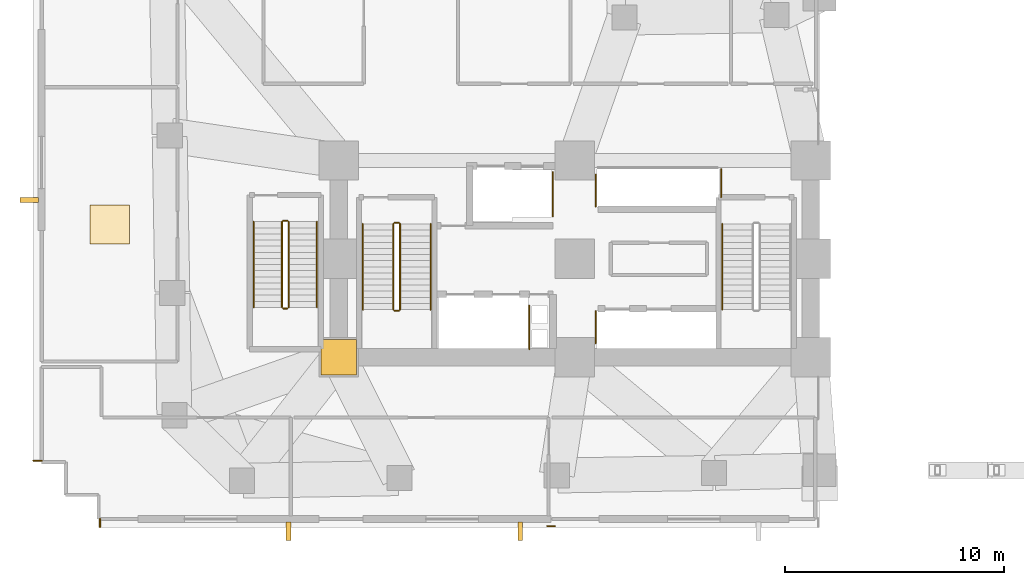
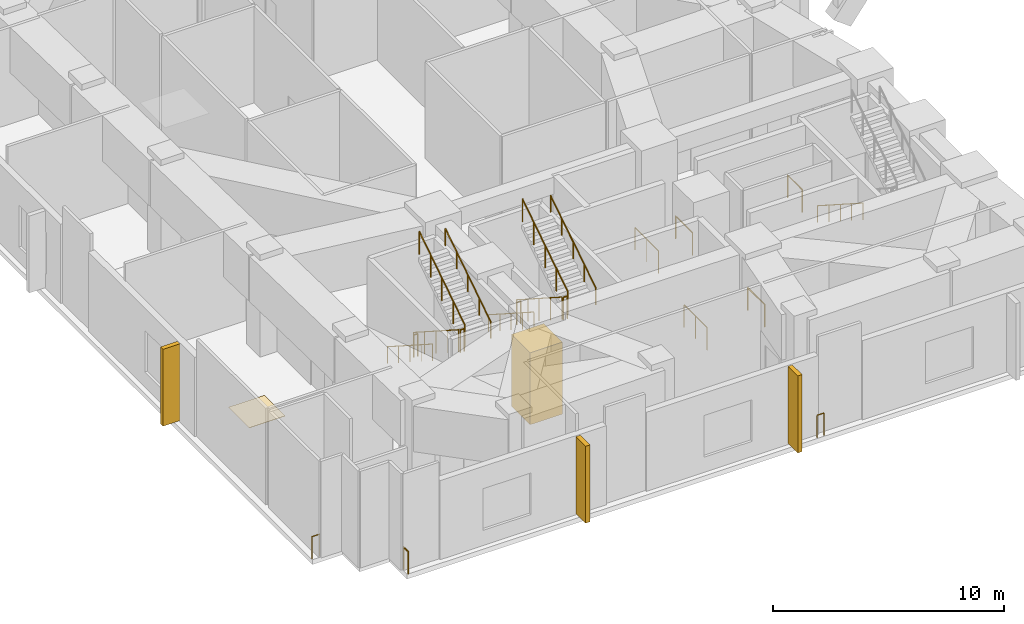
# One storey, part 11 of 15: 21 railings, 3 shading devices, 2 coverings.
"""IFC4 building model written with IfcOpenShell, lengths in metres."""

from ifc_helpers import new_model, si_unit, direction, frame, origin, origin_2d, place, context, subcontext, project, spatial, rectangle, circle, extrude, material, layer, layer_set, type_object, element, save


model = new_model("IFC4")

# Units and contexts
model_context = context("Model", 3, precision=1e-05, world=origin(), true_north=direction((0.0, 1.0)))
body_context = subcontext(model_context, "Body", "Model", "MODEL_VIEW")
ifc_project = project(units=[si_unit("LENGTHUNIT", "METRE"), si_unit("AREAUNIT", "SQUARE_METRE"), si_unit("VOLUMEUNIT", "CUBIC_METRE"), si_unit("PLANEANGLEUNIT", "RADIAN"), si_unit("MASSUNIT", "GRAM", prefix="KILO")], contexts=[model_context])

# Site, building, storey
site_placement = place(None, origin())
site = spatial("IfcSite", under=ifc_project, at=site_placement, CompositionType="ELEMENT")
building_placement = place(site_placement, origin())
building = spatial("IfcBuilding", under=site, at=building_placement, Name="Gaonmaruhae Medical Tower", CompositionType="ELEMENT")
storey_placement = place(building_placement, frame((0.0, 0.0, 21.60009765625)))
storey = spatial("IfcBuildingStorey", under=building, at=storey_placement, Name="L04", CompositionType="ELEMENT", Elevation=21.60009765625)

# Coverings
ifc_material_1 = material(Name="Architectural precast column cladding", Category="concrete")
ifc_layer_1 = layer(ifc_material_1, 0.06005859375)
ifc_layer_set_1 = layer_set([ifc_layer_1], Name="Architectural precast column cladding")
covering_type_1 = type_object("IfcCoveringType", Name="CLD-01 Architectural Precast Pier Cladding", PredefinedType="CLADDING", material=ifc_layer_set_1)
covering_1_placement = place(storey_placement, frame((14.0, 7.800048828125, 0.10009765625), z_axis=(0.0, 0.0, 1.0), x_axis=(1.0, 0.0, 0.0)))
element("IfcCovering", 1, at=covering_1_placement, inside=storey, type_object=covering_type_1, Name="L04 Architectural Precast Column Cladding 5", PredefinedType="CLADDING", context=body_context, shape_type="SweptSolid", body=[
    extrude(rectangle(XDim=1.6201171875, YDim=1.6201171875, at=origin_2d()), origin(), (0.0, 0.0, 1.0), 3.800048828125),
])
ifc_material_2 = material(Name="Seamless clinical vinyl flooring", Category="finish")
ifc_layer_2 = layer(ifc_material_2, 0.014892578125)
ifc_layer_set_2 = layer_set([ifc_layer_2], Name="Seamless clinical vinyl flooring")
covering_type_2 = type_object("IfcCoveringType", Name="FLR-01 Seamless Clinical Antistatic Vinyl Flooring", PredefinedType="FLOORING", material=ifc_layer_set_2)
covering_2_placement = place(storey_placement, frame((3.510009765625, 13.875, 0.0), z_axis=(0.0, 0.0, 1.0), x_axis=(1.0, 0.0, 0.0)))
element("IfcCovering", 2, at=covering_2_placement, inside=storey, type_object=covering_type_2, Name="L04 Clinical Room Vinyl Flooring 2", PredefinedType="FLOORING", context=body_context, shape_type="SweptSolid", body=[
    extrude(rectangle(XDim=1.800048828125, YDim=1.800048828125, at=origin_2d()), origin(), (0.0, 0.0, 1.0), 0.014892578125),
])

# Railings
ifc_material_3 = material(Name="Stainless steel 316L and laminated safety glass", Category="steel")
ifc_layer_3 = layer(ifc_material_3, 0.080078125)
ifc_layer_set_3 = layer_set([ifc_layer_3], Name="Stainless steel 316L and laminated safety glass")
railing_type_1 = type_object("IfcRailingType", Name="GD-120 Outdoor Terrace Safety Glass & Steel Balustrade", PredefinedType="BALUSTRADE", material=ifc_layer_set_3)
railing_1_placement = place(storey_placement, frame((3.070068359375, 0.02001953125, 0.0)))
element("IfcRailing", 3, at=railing_1_placement, inside=storey, type_object=railing_type_1, Name="L04 Perimeter Slab Edge Safety Balustrade 01", PredefinedType="BALUSTRADE", context=body_context, shape_type="SweptSolid", body=[
    extrude(circle(Radius=0.02392578125, at=origin_2d()), frame((0.0, 0.0, 1.17578125), z_axis=(0.0, 1.0, 0.0), x_axis=(-1.0, 0.0, 0.0)), (0.0, 0.0, 1.0), 0.393310546875),
    extrude(circle(Radius=0.02099609375, at=origin_2d()), origin(), (0.0, 0.0, 1.0), 1.15185546875),
    extrude(circle(Radius=0.02099609375, at=origin_2d()), frame((0.0, 0.393310546875, 0.0)), (0.0, 0.0, 1.0), 1.15185546875),
])
railing_2_placement = place(storey_placement, frame((0.413330078125, 3.070068359375, 0.0)))
element("IfcRailing", 4, at=railing_2_placement, inside=storey, type_object=railing_type_1, Name="L04 Perimeter Slab Edge Safety Balustrade 02", PredefinedType="BALUSTRADE", context=body_context, shape_type="SweptSolid", body=[
    extrude(circle(Radius=0.02392578125, at=origin_2d()), frame((0.0, 0.0, 1.17578125), z_axis=(-1.0, 0.0, 0.0), x_axis=(0.0, -1.0, 0.0)), (0.0, 0.0, 1.0), 0.393310546875),
    extrude(circle(Radius=0.02099609375, at=origin_2d()), origin(), (0.0, 0.0, 1.0), 1.15185546875),
    extrude(circle(Radius=0.02099609375, at=origin_2d()), frame((-0.393310546875, 0.0, 0.0)), (0.0, 0.0, 1.0), 1.15185546875),
])
railing_3_placement = place(storey_placement, frame((23.88427734375, 0.070068359375, 0.0)))
element("IfcRailing", 5, at=railing_3_placement, inside=storey, type_object=railing_type_1, Name="L04 Perimeter Slab Edge Safety Balustrade 16", PredefinedType="BALUSTRADE", context=body_context, shape_type="SweptSolid", body=[
    extrude(circle(Radius=0.02392578125, at=origin_2d()), frame((0.0, 0.0, 1.17578125), z_axis=(-1.0, 0.0, 0.0), x_axis=(0.0, -1.0, 0.0)), (0.0, 0.0, 1.0), 0.33935546875),
    extrude(circle(Radius=0.02099609375, at=origin_2d()), origin(), (0.0, 0.0, 1.0), 1.15185546875),
    extrude(circle(Radius=0.02099609375, at=origin_2d()), frame((-0.33935546875, 0.0, 0.0)), (0.0, 0.0, 1.0), 1.15185546875),
])
ifc_material_4 = material(Name="Stainless steel 304 handrail", Category="steel")
railing_type_2 = type_object("IfcRailingType", Name="HR-092 Continuous Stainless Steel Stair Handrail", PredefinedType="HANDRAIL", material=ifc_material_4)
railing_4_placement = place(storey_placement, frame((15.10009765625, 13.89990234375, 0.179931640625)))
element("IfcRailing", 6, at=railing_4_placement, inside=storey, type_object=railing_type_2, Name="L04 ST-01 stair handrail 1", PredefinedType="HANDRAIL", context=body_context, shape_type="SweptSolid", body=[
    extrude(circle(Radius=0.02392578125, at=origin_2d()), frame((0.0, 0.0, 0.8759765625), z_axis=(0.0, -0.841171666519, 0.540768182723), x_axis=(1.0, 0.0, 0.0)), (0.0, 0.0, 1.0), 4.66015625),
    extrude(circle(Radius=0.02099609375, at=origin_2d()), origin(), (0.0, 0.0, 1.0), 0.851806640625),
    extrude(circle(Radius=0.02099609375, at=origin_2d()), frame((0.0, -0.97998046875, 0.6298828125)), (0.0, 0.0, 1.0), 0.851806640625),
    extrude(circle(Radius=0.02099609375, at=origin_2d()), frame((0.0, -1.9599609375, 1.260009765625)), (0.0, 0.0, 1.0), 0.851806640625),
    extrude(circle(Radius=0.02099609375, at=origin_2d()), frame((0.0, -2.93994140625, 1.89013671875)), (0.0, 0.0, 1.0), 0.851806640625),
    extrude(circle(Radius=0.02099609375, at=origin_2d()), frame((0.0, -3.919921875, 2.52001953125)), (0.0, 0.0, 1.0), 0.851806640625),
])
railing_5_placement = place(storey_placement, frame((18.199951171875, 9.97998046875, 2.8798828125)))
element("IfcRailing", 7, at=railing_5_placement, inside=storey, type_object=railing_type_2, Name="L04 ST-01 stair handrail 2", PredefinedType="HANDRAIL", context=body_context, shape_type="SweptSolid", body=[
    extrude(circle(Radius=0.02392578125, at=origin_2d()), frame((0.0, 0.0, 0.8759765625), z_axis=(0.0, 0.841171666519, 0.540768182723), x_axis=(-1.0, 0.0, 0.0)), (0.0, 0.0, 1.0), 4.66015625),
    extrude(circle(Radius=0.02099609375, at=origin_2d()), origin(), (0.0, 0.0, 1.0), 0.851806640625),
    extrude(circle(Radius=0.02099609375, at=origin_2d()), frame((0.0, 0.97998046875, 0.6298828125)), (0.0, 0.0, 1.0), 0.851806640625),
    extrude(circle(Radius=0.02099609375, at=origin_2d()), frame((0.0, 1.9599609375, 1.260009765625)), (0.0, 0.0, 1.0), 0.851806640625),
    extrude(circle(Radius=0.02099609375, at=origin_2d()), frame((0.0, 2.93994140625, 1.89013671875)), (0.0, 0.0, 1.0), 0.851806640625),
    extrude(circle(Radius=0.02099609375, at=origin_2d()), frame((0.0, 3.919921875, 2.52001953125)), (0.0, 0.0, 1.0), 0.851806640625),
])
for number, where, name in (
    (8, (31.550048828125, 13.89990234375, 0.179931640625), "L04 ST-02 stair handrail 1"),
    (9, (10.10009765625, 14.0, 0.179931640625), "L04 ST-03 stair handrail 1"),
):
    element("IfcRailing", number, at=place(storey_placement, frame(where)), inside=storey, type_object=railing_type_2, Name=name, PredefinedType="HANDRAIL", context=body_context, shape_type="SweptSolid", body=[
        extrude(circle(Radius=0.02392578125, at=origin_2d()), frame((0.0, 0.0, 0.8759765625), z_axis=(0.0, -0.841171666519, 0.540768182723), x_axis=(1.0, 0.0, 0.0)), (0.0, 0.0, 1.0), 4.66015625),
        extrude(circle(Radius=0.02099609375, at=origin_2d()), origin(), (0.0, 0.0, 1.0), 0.851806640625),
        extrude(circle(Radius=0.02099609375, at=origin_2d()), frame((0.0, -0.97998046875, 0.6298828125)), (0.0, 0.0, 1.0), 0.851806640625),
        extrude(circle(Radius=0.02099609375, at=origin_2d()), frame((0.0, -1.9599609375, 1.260009765625)), (0.0, 0.0, 1.0), 0.851806640625),
        extrude(circle(Radius=0.02099609375, at=origin_2d()), frame((0.0, -2.93994140625, 1.89013671875)), (0.0, 0.0, 1.0), 0.851806640625),
        extrude(circle(Radius=0.02099609375, at=origin_2d()), frame((0.0, -3.919921875, 2.52001953125)), (0.0, 0.0, 1.0), 0.851806640625),
    ])
railing_6_placement = place(storey_placement, frame((13.0, 10.080078125, 2.8798828125)))
element("IfcRailing", 10, at=railing_6_placement, inside=storey, type_object=railing_type_2, Name="L04 ST-03 stair handrail 2", PredefinedType="HANDRAIL", context=body_context, shape_type="SweptSolid", body=[
    extrude(circle(Radius=0.02392578125, at=origin_2d()), frame((0.0, 0.0, 0.8759765625), z_axis=(0.0, 0.841171666519, 0.540768182723), x_axis=(-1.0, 0.0, 0.0)), (0.0, 0.0, 1.0), 4.66015625),
    extrude(circle(Radius=0.02099609375, at=origin_2d()), origin(), (0.0, 0.0, 1.0), 0.851806640625),
    extrude(circle(Radius=0.02099609375, at=origin_2d()), frame((0.0, 0.97998046875, 0.6298828125)), (0.0, 0.0, 1.0), 0.851806640625),
    extrude(circle(Radius=0.02099609375, at=origin_2d()), frame((0.0, 1.9599609375, 1.260009765625)), (0.0, 0.0, 1.0), 0.851806640625),
    extrude(circle(Radius=0.02099609375, at=origin_2d()), frame((0.0, 2.93994140625, 1.89013671875)), (0.0, 0.0, 1.0), 0.851806640625),
    extrude(circle(Radius=0.02099609375, at=origin_2d()), frame((0.0, 3.919921875, 2.52001953125)), (0.0, 0.0, 1.0), 0.851806640625),
])

# Shading devices
ifc_material_5 = material(Name="Pigmented coral precast concrete C45/55", Category="concrete")
shading_device_type = type_object("IfcShadingDeviceType", Name="SD-FIN2 Podium Vertical Coral Precast Shading Fin", PredefinedType="USERDEFINED", material=ifc_material_5)
for number, where, z_axis, x_axis, name in (
    (11, (11.699951171875, -0.1650390625, 0.059814453125), (0.0, 0.0, 1.0), (-1.0, 0.0, 0.0), "L04 Podium Coral Precast Shading Fin PB-S1"),
    (12, (22.300048828125, -0.1650390625, 0.059814453125), (0.0, 0.0, 1.0), (-1.0, 0.0, 0.0), "L04 Podium Coral Precast Shading Fin PB-S2"),
    (13, (-0.1650390625, 15.0, 0.059814453125), (0.0, 0.0, 1.0), (0.0, 1.0, 0.0), "L04 Podium Coral Precast Shading Fin PB-W1"),
):
    element("IfcShadingDevice", number, at=place(storey_placement, frame(where, z_axis=z_axis, x_axis=x_axis)), inside=storey, type_object=shading_device_type, Name=name, ObjectType="FIN", PredefinedType="USERDEFINED", context=body_context, shape_type="SweptSolid", body=[
        extrude(rectangle(XDim=0.219970703125, YDim=0.85009765625, at=origin_2d()), origin(), (0.0, 0.0, 1.0), 4.06005859375),
    ])

# Railings
ifc_material_6 = material(Name="Stainless steel 304 balustrade", Category="steel")
railing_type_3 = type_object("IfcRailingType", Name="SG-112 Stair Well & Ramp Void Safety Balustrade", PredefinedType="BALUSTRADE", material=ifc_material_6)
railing_7_placement = place(storey_placement, frame((16.5, 13.89990234375, 0.179931640625)))
element("IfcRailing", 14, at=railing_7_placement, inside=storey, type_object=railing_type_3, Name="L04 ST-01 stair guard 1", PredefinedType="BALUSTRADE", context=body_context, shape_type="SweptSolid", body=[
    extrude(circle(Radius=0.02392578125, at=origin_2d()), frame((0.0, 0.0, 1.17578125), z_axis=(0.0, -0.841171666519, 0.540768182723), x_axis=(1.0, 0.0, 0.0)), (0.0, 0.0, 1.0), 4.66015625),
    extrude(circle(Radius=0.02099609375, at=origin_2d()), origin(), (0.0, 0.0, 1.0), 1.15185546875),
    extrude(circle(Radius=0.02099609375, at=origin_2d()), frame((0.0, -0.97998046875, 0.6298828125)), (0.0, 0.0, 1.0), 1.15185546875),
    extrude(circle(Radius=0.02099609375, at=origin_2d()), frame((0.0, -1.9599609375, 1.260009765625)), (0.0, 0.0, 1.0), 1.15185546875),
    extrude(circle(Radius=0.02099609375, at=origin_2d()), frame((0.0, -2.93994140625, 1.89013671875)), (0.0, 0.0, 1.0), 1.15185546875),
    extrude(circle(Radius=0.02099609375, at=origin_2d()), frame((0.0, -3.919921875, 2.52001953125)), (0.0, 0.0, 1.0), 1.15185546875),
])
railing_8_placement = place(storey_placement, frame((16.550048828125, 9.929931640625, 2.699951171875)))
element("IfcRailing", 15, at=railing_8_placement, inside=storey, type_object=railing_type_3, Name="L04 ST-01 stair guard 2", PredefinedType="BALUSTRADE", context=body_context, shape_type="SweptSolid", body=[
    extrude(circle(Radius=0.02392578125, at=origin_2d()), frame((0.0, 0.0, 1.17578125), z_axis=(1.0, 0.0, 0.0), x_axis=(0.0, 1.0, 0.0)), (0.0, 0.0, 1.0), 0.199951171875),
    extrude(circle(Radius=0.02099609375, at=origin_2d()), origin(), (0.0, 0.0, 1.0), 1.15185546875),
    extrude(circle(Radius=0.02099609375, at=origin_2d()), frame((0.199951171875, 0.0, 0.0)), (0.0, 0.0, 1.0), 1.15185546875),
])
railing_9_placement = place(storey_placement, frame((16.800048828125, 9.97998046875, 2.8798828125)))
element("IfcRailing", 16, at=railing_9_placement, inside=storey, type_object=railing_type_3, Name="L04 ST-01 stair guard 3", PredefinedType="BALUSTRADE", context=body_context, shape_type="SweptSolid", body=[
    extrude(circle(Radius=0.02392578125, at=origin_2d()), frame((0.0, 0.0, 1.17578125), z_axis=(0.0, 0.841171666519, 0.540768182723), x_axis=(-1.0, 0.0, 0.0)), (0.0, 0.0, 1.0), 4.66015625),
    extrude(circle(Radius=0.02099609375, at=origin_2d()), origin(), (0.0, 0.0, 1.0), 1.15185546875),
    extrude(circle(Radius=0.02099609375, at=origin_2d()), frame((0.0, 0.97998046875, 0.6298828125)), (0.0, 0.0, 1.0), 1.15185546875),
    extrude(circle(Radius=0.02099609375, at=origin_2d()), frame((0.0, 1.9599609375, 1.260009765625)), (0.0, 0.0, 1.0), 1.15185546875),
    extrude(circle(Radius=0.02099609375, at=origin_2d()), frame((0.0, 2.93994140625, 1.89013671875)), (0.0, 0.0, 1.0), 1.15185546875),
    extrude(circle(Radius=0.02099609375, at=origin_2d()), frame((0.0, 3.919921875, 2.52001953125)), (0.0, 0.0, 1.0), 1.15185546875),
])
railing_10_placement = place(storey_placement, frame((16.550048828125, 13.949951171875, 0.0)))
element("IfcRailing", 17, at=railing_10_placement, inside=storey, type_object=railing_type_3, Name="L04 ST-01 stair guard 4", PredefinedType="BALUSTRADE", context=body_context, shape_type="SweptSolid", body=[
    extrude(circle(Radius=0.02392578125, at=origin_2d()), frame((0.0, 0.0, 1.17578125), z_axis=(1.0, 0.0, 0.0), x_axis=(0.0, 1.0, 0.0)), (0.0, 0.0, 1.0), 0.199951171875),
    extrude(circle(Radius=0.02099609375, at=origin_2d()), origin(), (0.0, 0.0, 1.0), 1.15185546875),
    extrude(circle(Radius=0.02099609375, at=origin_2d()), frame((0.199951171875, 0.0, 0.0)), (0.0, 0.0, 1.0), 1.15185546875),
])
railing_11_placement = place(storey_placement, frame((11.39990234375, 14.0, 0.179931640625)))
element("IfcRailing", 18, at=railing_11_placement, inside=storey, type_object=railing_type_3, Name="L04 ST-03 stair guard 1", PredefinedType="BALUSTRADE", context=body_context, shape_type="SweptSolid", body=[
    extrude(circle(Radius=0.02392578125, at=origin_2d()), frame((0.0, 0.0, 1.17578125), z_axis=(0.0, -0.841171666519, 0.540768182723), x_axis=(1.0, 0.0, 0.0)), (0.0, 0.0, 1.0), 4.66015625),
    extrude(circle(Radius=0.02099609375, at=origin_2d()), origin(), (0.0, 0.0, 1.0), 1.15185546875),
    extrude(circle(Radius=0.02099609375, at=origin_2d()), frame((0.0, -0.97998046875, 0.6298828125)), (0.0, 0.0, 1.0), 1.15185546875),
    extrude(circle(Radius=0.02099609375, at=origin_2d()), frame((0.0, -1.9599609375, 1.260009765625)), (0.0, 0.0, 1.0), 1.15185546875),
    extrude(circle(Radius=0.02099609375, at=origin_2d()), frame((0.0, -2.93994140625, 1.89013671875)), (0.0, 0.0, 1.0), 1.15185546875),
    extrude(circle(Radius=0.02099609375, at=origin_2d()), frame((0.0, -3.919921875, 2.52001953125)), (0.0, 0.0, 1.0), 1.15185546875),
])
railing_12_placement = place(storey_placement, frame((11.449951171875, 10.030029296875, 2.699951171875)))
element("IfcRailing", 19, at=railing_12_placement, inside=storey, type_object=railing_type_3, Name="L04 ST-03 stair guard 2", PredefinedType="BALUSTRADE", context=body_context, shape_type="SweptSolid", body=[
    extrude(circle(Radius=0.02392578125, at=origin_2d()), frame((0.0, 0.0, 1.17578125), z_axis=(1.0, 0.0, 0.0), x_axis=(0.0, 1.0, 0.0)), (0.0, 0.0, 1.0), 0.199951171875),
    extrude(circle(Radius=0.02099609375, at=origin_2d()), origin(), (0.0, 0.0, 1.0), 1.15185546875),
    extrude(circle(Radius=0.02099609375, at=origin_2d()), frame((0.199951171875, 0.0, 0.0)), (0.0, 0.0, 1.0), 1.15185546875),
])
railing_13_placement = place(storey_placement, frame((11.699951171875, 10.080078125, 2.8798828125)))
element("IfcRailing", 20, at=railing_13_placement, inside=storey, type_object=railing_type_3, Name="L04 ST-03 stair guard 3", PredefinedType="BALUSTRADE", context=body_context, shape_type="SweptSolid", body=[
    extrude(circle(Radius=0.02392578125, at=origin_2d()), frame((0.0, 0.0, 1.17578125), z_axis=(0.0, 0.841171666519, 0.540768182723), x_axis=(-1.0, 0.0, 0.0)), (0.0, 0.0, 1.0), 4.66015625),
    extrude(circle(Radius=0.02099609375, at=origin_2d()), origin(), (0.0, 0.0, 1.0), 1.15185546875),
    extrude(circle(Radius=0.02099609375, at=origin_2d()), frame((0.0, 0.97998046875, 0.6298828125)), (0.0, 0.0, 1.0), 1.15185546875),
    extrude(circle(Radius=0.02099609375, at=origin_2d()), frame((0.0, 1.9599609375, 1.260009765625)), (0.0, 0.0, 1.0), 1.15185546875),
    extrude(circle(Radius=0.02099609375, at=origin_2d()), frame((0.0, 2.93994140625, 1.89013671875)), (0.0, 0.0, 1.0), 1.15185546875),
    extrude(circle(Radius=0.02099609375, at=origin_2d()), frame((0.0, 3.919921875, 2.52001953125)), (0.0, 0.0, 1.0), 1.15185546875),
])
railing_14_placement = place(storey_placement, frame((11.449951171875, 14.050048828125, 0.0)))
element("IfcRailing", 21, at=railing_14_placement, inside=storey, type_object=railing_type_3, Name="L04 ST-03 stair guard 4", PredefinedType="BALUSTRADE", context=body_context, shape_type="SweptSolid", body=[
    extrude(circle(Radius=0.02392578125, at=origin_2d()), frame((0.0, 0.0, 1.17578125), z_axis=(1.0, 0.0, 0.0), x_axis=(0.0, 1.0, 0.0)), (0.0, 0.0, 1.0), 0.199951171875),
    extrude(circle(Radius=0.02099609375, at=origin_2d()), origin(), (0.0, 0.0, 1.0), 1.15185546875),
    extrude(circle(Radius=0.02099609375, at=origin_2d()), frame((0.199951171875, 0.0, 0.0)), (0.0, 0.0, 1.0), 1.15185546875),
])
railing_15_placement = place(storey_placement, frame((22.719970703125, 10.159912109375, 0.0)))
element("IfcRailing", 22, at=railing_15_placement, inside=storey, type_object=railing_type_3, Name="L04 Shaft Edge Safety Guard 17", PredefinedType="BALUSTRADE", context=body_context, shape_type="SweptSolid", body=[
    extrude(circle(Radius=0.02392578125, at=origin_2d()), frame((0.0, 0.0, 1.17578125), z_axis=(0.0, -1.0, 0.0), x_axis=(1.0, 0.0, 0.0)), (0.0, 0.0, 1.0), 1.994873046875),
    extrude(circle(Radius=0.02099609375, at=origin_2d()), origin(), (0.0, 0.0, 1.0), 1.15185546875),
    extrude(circle(Radius=0.02099609375, at=origin_2d()), frame((0.0, -0.99755859375, 0.0)), (0.0, 0.0, 1.0), 1.15185546875),
    extrude(circle(Radius=0.02099609375, at=origin_2d()), frame((0.0, -1.994873046875, 0.0)), (0.0, 0.0, 1.0), 1.15185546875),
])
railing_16_placement = place(storey_placement, frame((23.794921875, 16.27587890625, 0.0)))
element("IfcRailing", 23, at=railing_16_placement, inside=storey, type_object=railing_type_3, Name="L04 Shaft Edge Safety Guard 18", PredefinedType="BALUSTRADE", context=body_context, shape_type="SweptSolid", body=[
    extrude(circle(Radius=0.02392578125, at=origin_2d()), frame((0.0, 0.0, 1.17578125), z_axis=(0.0, -1.0, 0.0), x_axis=(1.0, 0.0, 0.0)), (0.0, 0.0, 1.0), 2.03076171875),
    extrude(circle(Radius=0.02099609375, at=origin_2d()), origin(), (0.0, 0.0, 1.0), 1.15185546875),
    extrude(circle(Radius=0.02099609375, at=origin_2d()), frame((0.0, -1.015380859375, 0.0)), (0.0, 0.0, 1.0), 1.15185546875),
    extrude(circle(Radius=0.02099609375, at=origin_2d()), frame((0.0, -2.03076171875, 0.0)), (0.0, 0.0, 1.0), 1.15185546875),
])
railing_17_placement = place(storey_placement, frame((25.7548828125, 8.445068359375, 0.0)))
element("IfcRailing", 24, at=railing_17_placement, inside=storey, type_object=railing_type_3, Name="L04 Shaft Edge Safety Guard 20", PredefinedType="BALUSTRADE", context=body_context, shape_type="SweptSolid", body=[
    extrude(circle(Radius=0.02392578125, at=origin_2d()), frame((0.0, 0.0, 1.17578125), z_axis=(0.0, 1.0, 0.0), x_axis=(-1.0, 0.0, 0.0)), (0.0, 0.0, 1.0), 1.4599609375),
    extrude(circle(Radius=0.02099609375, at=origin_2d()), origin(), (0.0, 0.0, 1.0), 1.15185546875),
    extrude(circle(Radius=0.02099609375, at=origin_2d()), frame((0.0, 1.4599609375, 0.0)), (0.0, 0.0, 1.0), 1.15185546875),
])
railing_18_placement = place(storey_placement, frame((31.4951171875, 16.405029296875, 0.0)))
element("IfcRailing", 25, at=railing_18_placement, inside=storey, type_object=railing_type_3, Name="L04 Shaft Edge Safety Guard 21", PredefinedType="BALUSTRADE", context=body_context, shape_type="SweptSolid", body=[
    extrude(circle(Radius=0.02392578125, at=origin_2d()), frame((0.0, 0.0, 1.17578125), z_axis=(0.0, -1.0, 0.0), x_axis=(1.0, 0.0, 0.0)), (0.0, 0.0, 1.0), 1.284912109375),
    extrude(circle(Radius=0.02099609375, at=origin_2d()), origin(), (0.0, 0.0, 1.0), 1.15185546875),
    extrude(circle(Radius=0.02099609375, at=origin_2d()), frame((0.0, -1.284912109375, 0.0)), (0.0, 0.0, 1.0), 1.15185546875),
])
railing_19_placement = place(storey_placement, frame((25.7548828125, 14.695068359375, 0.0)))
element("IfcRailing", 26, at=railing_19_placement, inside=storey, type_object=railing_type_3, Name="L04 Shaft Edge Safety Guard 22", PredefinedType="BALUSTRADE", context=body_context, shape_type="SweptSolid", body=[
    extrude(circle(Radius=0.02392578125, at=origin_2d()), frame((0.0, 0.0, 1.17578125), z_axis=(0.0, 1.0, 0.0), x_axis=(-1.0, 0.0, 0.0)), (0.0, 0.0, 1.0), 1.4599609375),
    extrude(circle(Radius=0.02099609375, at=origin_2d()), origin(), (0.0, 0.0, 1.0), 1.15185546875),
    extrude(circle(Radius=0.02099609375, at=origin_2d()), frame((0.0, 1.4599609375, 0.0)), (0.0, 0.0, 1.0), 1.15185546875),
])

save(model, "model.ifc")
